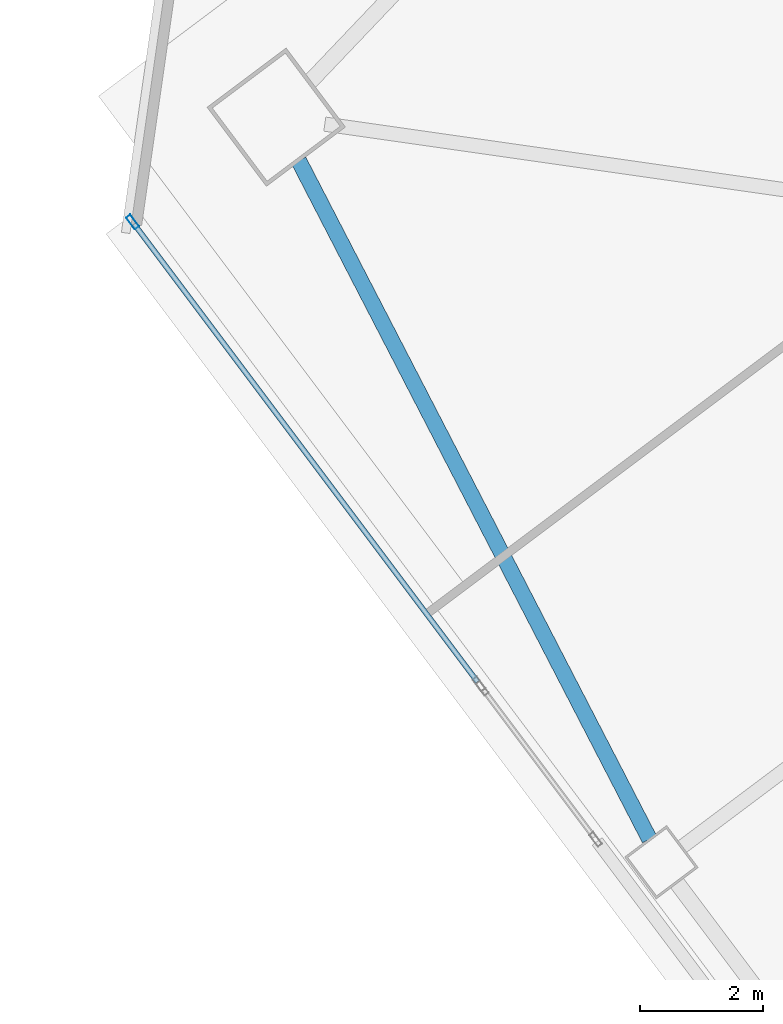
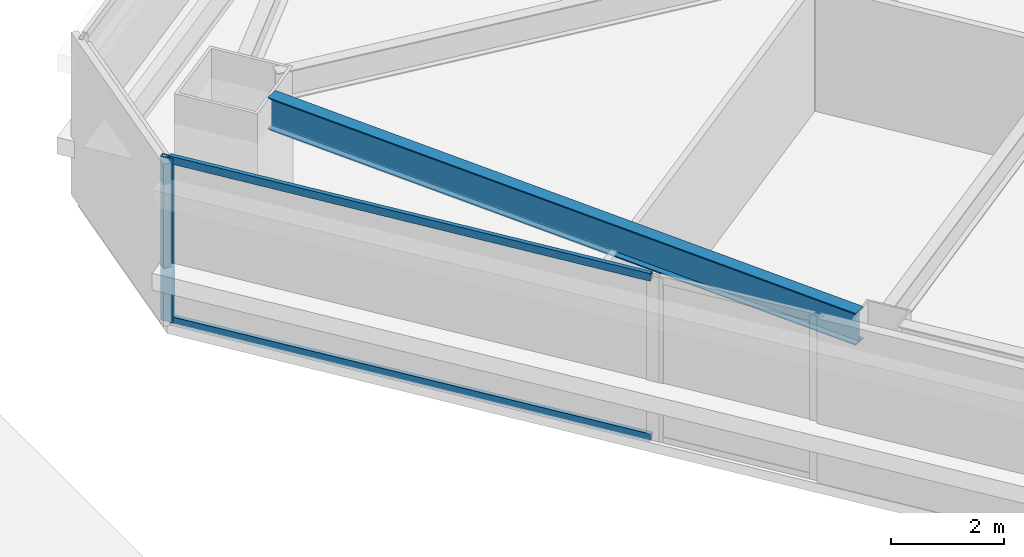
# One storey, part 20 of 46: 3 members, 1 beam, 1 element without a shape of its own.
"""IFC4 building model written with IfcOpenShell, lengths in metres."""

from ifc_helpers import new_model, si_unit, direction, frame, origin, origin_2d, place, context, subcontext, project, spatial, hollow_rectangle, i_section, extrude, material, material_profile, profile_set, type_object, element, aggregate, save


model = new_model("IFC4")

# Units and contexts
model_context = context("Model", 3, precision=1e-05, world=origin(), true_north=direction((0.0, 1.0)))
body_context = subcontext(model_context, "Body", "Model", "MODEL_VIEW")
ifc_project = project(units=[si_unit("LENGTHUNIT", "METRE"), si_unit("AREAUNIT", "SQUARE_METRE"), si_unit("VOLUMEUNIT", "CUBIC_METRE"), si_unit("PLANEANGLEUNIT", "RADIAN"), si_unit("MASSUNIT", "GRAM", prefix="KILO")], contexts=[model_context])

# Site, building, storey
site_placement = place(None, origin())
site = spatial("IfcSite", under=ifc_project, at=site_placement, CompositionType="ELEMENT")
building_placement = place(site_placement, origin())
building = spatial("IfcBuilding", under=site, at=building_placement, Name="Tashvorn Skyway Center", CompositionType="ELEMENT")
storey_placement = place(building_placement, frame((0.0, 0.0, 31.699951171875)))
storey = spatial("IfcBuildingStorey", under=building, at=storey_placement, Name="L07", CompositionType="ELEMENT", Elevation=31.699951171875)

# Beam
ifc_material_1 = material(Name="Steel ASTM A992 Grade 50", Category="steel")
ifc_material_profile_1 = material_profile(ifc_material_1, i_section(OverallWidth=0.256103515625, OverallDepth=0.693115234375, WebThickness=0.014404296875, FlangeThickness=0.023681640625, at=origin_2d()), Name="W27X114")
ifc_profile_set_1 = profile_set([ifc_material_profile_1], Name="Steel ASTM A992 Grade 50")
beam_type = type_object("IfcBeamType", Name="BM-SPANDREL-W27X114", PredefinedType="SPANDREL", material=ifc_profile_set_1)
beam_placement = place(storey_placement, frame((88.045166015625, 35.0537109375, 3.003662109375), z_axis=(0.459233413919, -0.888315637339, 0.0), x_axis=(0.888315637339, 0.459233413919, 0.0)))
element("IfcBeam", 1, at=beam_placement, inside=storey, type_object=beam_type, Name="Tower 2 L07 Spandrel Beam 10", PredefinedType="SPANDREL", context=body_context, shape_type="SweptSolid", body=[
    extrude(i_section(OverallWidth=0.256103515625, OverallDepth=0.693115234375, WebThickness=0.014404296875, FlangeThickness=0.023681640625, at=origin_2d()), origin(), (0.0, 0.0, 1.0), 12.37255859375),
])

# Curtain wall, members
ifc_material_2 = material(Name="Thermally broken bronze-anodized aluminium 6063-T6", Category="aluminium")
curtain_wall_type = type_object("IfcCurtainWallType", Name="CW-CW-Z1", PredefinedType="NOTDEFINED", material=ifc_material_2)
curtain_wall_placement = place(storey_placement, origin())
curtain_wall = element("IfcCurtainWall", 2, at=curtain_wall_placement, inside=storey, type_object=curtain_wall_type, Name="Tower 2 L07 West Unitised Curtain Wall Glazing Group 4", PredefinedType="NOTDEFINED")
ifc_material_profile_2 = material_profile(ifc_material_2, hollow_rectangle(XDim=0.0849609375, YDim=0.239990234375, WallThickness=0.0048828125, at=origin_2d()), Name="ALU-MULL-85x240")
ifc_profile_set_2 = profile_set([ifc_material_profile_2], Name="Thermally broken bronze-anodized aluminium 6063-T6")
member_type_1 = type_object("IfcMemberType", Name="CWM-CW-Z1", PredefinedType="MULLION", material=ifc_profile_set_2)
member_1_placement = place(storey_placement, frame((85.353515625, 34.06201171875, 0.0), z_axis=(0.0, 0.0, 1.0), x_axis=(-0.799999999998, -0.600000000002, 0.0)))
member_1 = element("IfcMember", 3, at=member_1_placement, type_object=member_type_1, Name="CW-Z1 mullion 2", PredefinedType="MULLION", context=body_context, shape_type="SweptSolid", body=[
    extrude(hollow_rectangle(XDim=0.0849609375, YDim=0.239990234375, WallThickness=0.0048828125, at=origin_2d()), origin(), (0.0, 0.0, 1.0), 3.550048828125),
])
ifc_material_profile_3 = material_profile(ifc_material_2, hollow_rectangle(XDim=0.0849609375, YDim=0.1650390625, WallThickness=0.0048828125, at=origin_2d()), Name="ALU-TRAN-85x165")
ifc_profile_set_3 = profile_set([ifc_material_profile_3], Name="Thermally broken bronze-anodized aluminium 6063-T6")
member_type_2 = type_object("IfcMemberType", Name="CWT-CW-Z1", PredefinedType="USERDEFINED", material=ifc_profile_set_3)
member_2_placement = place(storey_placement, frame((90.94091796875, 26.612060546875, 0.04248046875), z_axis=(-0.6, 0.8, 0.0), x_axis=(-0.8, -0.6, 0.0)))
member_2 = element("IfcMember", 4, at=member_2_placement, type_object=member_type_2, Name="CW-Z1 transom 1.1", ObjectType="TRANSOM", PredefinedType="USERDEFINED", context=body_context, shape_type="SweptSolid", body=[
    extrude(hollow_rectangle(XDim=0.0849609375, YDim=0.1650390625, WallThickness=0.0048828125, at=origin_2d()), origin(), (0.0, 0.0, 1.0), 9.27001953125),
])
member_3_placement = place(storey_placement, frame((90.94091796875, 26.612060546875, 3.507568359375), z_axis=(-0.6, 0.8, 0.0), x_axis=(-0.8, -0.6, 0.0)))
member_3 = element("IfcMember", 5, at=member_3_placement, type_object=member_type_2, Name="CW-Z1 transom 1.2", ObjectType="TRANSOM", PredefinedType="USERDEFINED", context=body_context, shape_type="SweptSolid", body=[
    extrude(hollow_rectangle(XDim=0.0849609375, YDim=0.1650390625, WallThickness=0.0048828125, at=origin_2d()), origin(), (0.0, 0.0, 1.0), 9.27001953125),
])
aggregate(curtain_wall, [member_1, member_2, member_3])

save(model, "model.ifc")
